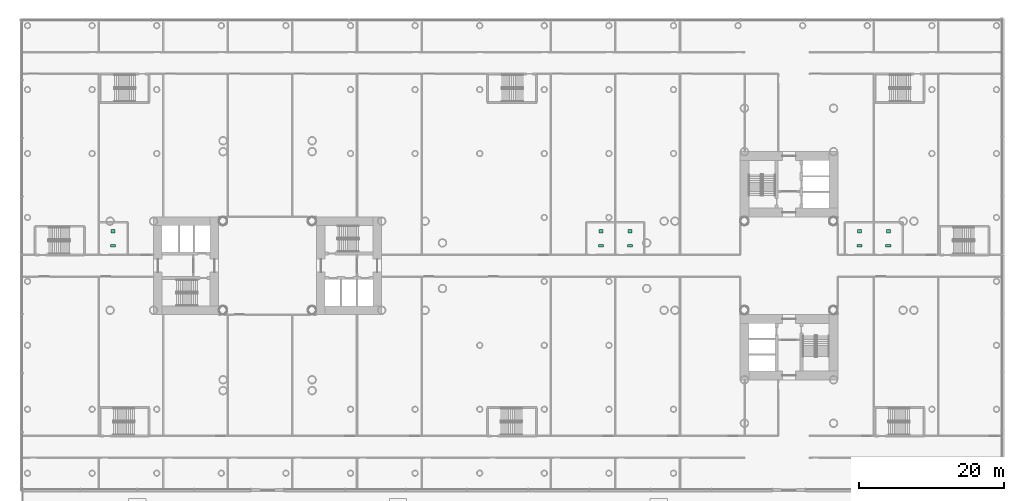
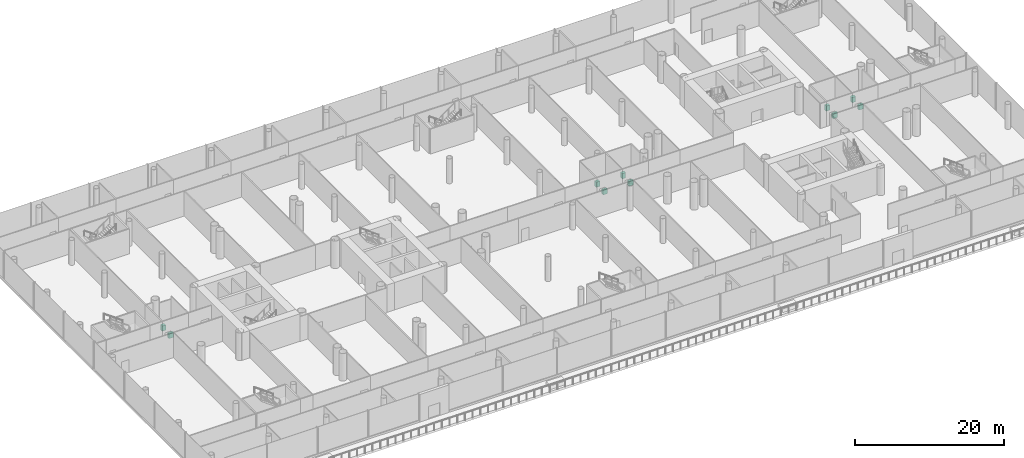
# One storey, part 49 of 49: 10 sanitary terminals.
"""IFC4 building model written with IfcOpenShell, lengths in metres."""

from ifc_helpers import new_model, si_unit, direction, frame, origin, origin_2d, place, context, subcontext, project, spatial, rectangle, extrude, material, type_object, element, save


model = new_model("IFC4")

# Units and contexts
model_context = context("Model", 3, precision=1e-05, world=origin(), true_north=direction((0.0, 1.0)))
body_context = subcontext(model_context, "Body", "Model", "MODEL_VIEW")
ifc_project = project(units=[si_unit("LENGTHUNIT", "METRE"), si_unit("AREAUNIT", "SQUARE_METRE"), si_unit("VOLUMEUNIT", "CUBIC_METRE"), si_unit("PLANEANGLEUNIT", "RADIAN"), si_unit("MASSUNIT", "GRAM", prefix="KILO")], contexts=[model_context])

# Site, building, storey
site_placement = place(None, origin())
site = spatial("IfcSite", under=ifc_project, at=site_placement, CompositionType="ELEMENT")
building_placement = place(site_placement, origin())
building = spatial("IfcBuilding", under=site, at=building_placement, Name="Ipe Terrace Towers", CompositionType="ELEMENT")
storey_placement = place(building_placement, frame((0.0, 0.0, 20.0)))
storey = spatial("IfcBuildingStorey", under=building, at=storey_placement, Name="L04", CompositionType="ELEMENT", Elevation=20.0)

# Sanitary terminals
ifc_material_1 = material(Name="Vitreous china", Category="ceramic")
sanitary_terminal_type_1 = type_object("IfcSanitaryTerminalType", Name="Wash basin", PredefinedType="WASHHANDBASIN", material=ifc_material_1)
for number, where, z_axis, x_axis, name in (
    (1, (-57.330078125, 4.75, 0.0), (0.0, 0.0, 1.0), (1.0, 0.0, 0.0), "Wash basin"),
    (2, (10.030029296875, 4.75, 0.0), (0.0, 0.0, 1.0), (1.0, 0.0, 0.0), "Wash basin"),
    (3, (14.030029296875, 4.75, 0.0), (0.0, 0.0, 1.0), (1.0, 0.0, 0.0), "Wash basin"),
    (4, (45.7099609375, 4.75, 0.0), (0.0, 0.0, 1.0), (1.0, 0.0, 0.0), "Wash basin"),
    (5, (49.7099609375, 4.75, 0.0), (0.0, 0.0, 1.0), (1.0, 0.0, 0.0), "Wash basin"),
):
    element("IfcSanitaryTerminal", number, at=place(storey_placement, frame(where, z_axis=z_axis, x_axis=x_axis)), inside=storey, type_object=sanitary_terminal_type_1, Name=name, PredefinedType="WASHHANDBASIN", context=body_context, shape_type="SweptSolid", body=[
        extrude(rectangle(XDim=0.550048828125, YDim=0.449951171875, at=origin_2d()), origin(), (0.0, 0.0, 1.0), 0.85009765625),
    ])
ifc_material_2 = material(Name="Vitreous china", Category="ceramic")
sanitary_terminal_type_2 = type_object("IfcSanitaryTerminalType", Name="Water closet", PredefinedType="TOILETPAN", material=ifc_material_2)
for number, where, z_axis, x_axis, name in (
    (6, (-57.330078125, 2.75, 0.0), (0.0, 0.0, 1.0), (1.0, 0.0, 0.0), "Water closet"),
    (7, (10.030029296875, 2.75, 0.0), (0.0, 0.0, 1.0), (1.0, 0.0, 0.0), "Water closet"),
    (8, (14.030029296875, 2.75, 0.0), (0.0, 0.0, 1.0), (1.0, 0.0, 0.0), "Water closet"),
    (9, (45.7099609375, 2.75, 0.0), (0.0, 0.0, 1.0), (1.0, 0.0, 0.0), "Water closet"),
    (10, (49.7099609375, 2.75, 0.0), (0.0, 0.0, 1.0), (1.0, 0.0, 0.0), "Water closet"),
):
    element("IfcSanitaryTerminal", number, at=place(storey_placement, frame(where, z_axis=z_axis, x_axis=x_axis)), inside=storey, type_object=sanitary_terminal_type_2, Name=name, PredefinedType="TOILETPAN", context=body_context, shape_type="SweptSolid", body=[
        extrude(rectangle(XDim=0.699951171875, YDim=0.39990234375, at=origin_2d()), origin(), (0.0, 0.0, 1.0), 0.780029296875),
    ])

save(model, "model.ifc")
